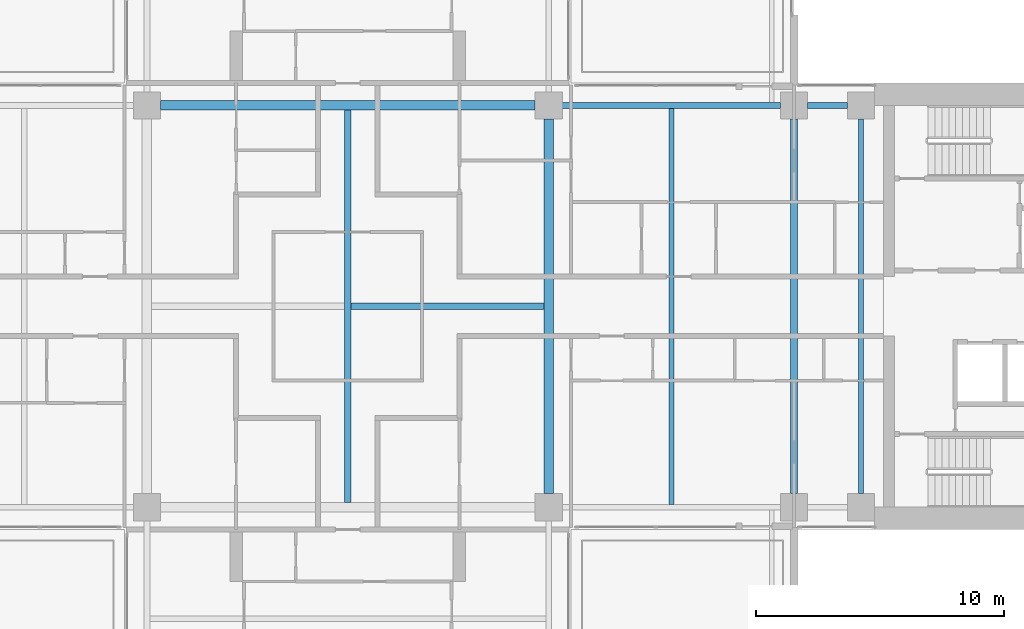
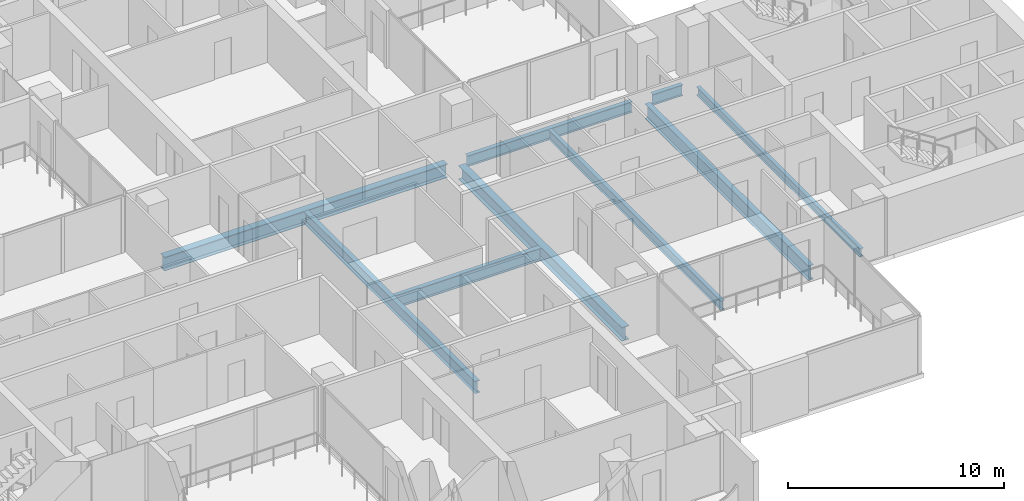
# One storey, part 4 of 18: 9 beams.
"""IFC4 building model written with IfcOpenShell, lengths in metres."""

from ifc_helpers import new_model, si_unit, direction, frame, origin, origin_2d, place, context, subcontext, project, spatial, i_section, extrude, material, material_profile, profile_set, type_object, element, save


model = new_model("IFC4")

# Units and contexts
model_context = context("Model", 3, precision=1e-05, world=origin(), true_north=direction((0.0, 1.0)))
body_context = subcontext(model_context, "Body", "Model", "MODEL_VIEW")
ifc_project = project(units=[si_unit("LENGTHUNIT", "METRE"), si_unit("AREAUNIT", "SQUARE_METRE"), si_unit("VOLUMEUNIT", "CUBIC_METRE"), si_unit("PLANEANGLEUNIT", "RADIAN"), si_unit("MASSUNIT", "GRAM", prefix="KILO")], contexts=[model_context])

# Site, building, storey
site_placement = place(None, origin())
site = spatial("IfcSite", under=ifc_project, at=site_placement, CompositionType="ELEMENT")
building_placement = place(site_placement, origin())
building = spatial("IfcBuilding", under=site, at=building_placement, Name="Perihelion Cross Residences", CompositionType="ELEMENT")
storey_placement = place(building_placement, frame((0.0, 0.0, 123.39990234375)))
storey = spatial("IfcBuildingStorey", under=building, at=storey_placement, Name="L29", CompositionType="ELEMENT", Elevation=123.39990234375)

# Beams
ifc_material_1 = material(Name="Steel S355", Category="steel")
ifc_material_profile_1 = material_profile(ifc_material_1, i_section(OverallWidth=0.194091796875, OverallDepth=0.469970703125, WebThickness=0.0126953125, FlangeThickness=0.0205078125, at=origin_2d()), Name="W460x106")
ifc_profile_set_1 = profile_set([ifc_material_profile_1], Name="Steel S355")
beam_type_1 = type_object("IfcBeamType", Name="Core edge beam W460x106", PredefinedType="BEAM", material=ifc_profile_set_1)
beam_1_placement = place(storey_placement, frame((20.699951171875, -7.550048828125, -0.48486328125), z_axis=(0.0, 1.0, 0.0), x_axis=(-1.0, 0.0, 0.0)))
element("IfcBeam", 1, at=beam_1_placement, inside=storey, type_object=beam_type_1, Name="Core edge beam TB5 L29 no. 2", PredefinedType="BEAM", context=body_context, shape_type="SweptSolid", body=[
    extrude(i_section(OverallWidth=0.194091796875, OverallDepth=0.469970703125, WebThickness=0.0126953125, FlangeThickness=0.0205078125, at=origin_2d()), origin(), (0.0, 0.0, 1.0), 15.10009765625),
])
ifc_material_2 = material(Name="Steel S355", Category="steel")
ifc_material_profile_2 = material_profile(ifc_material_2, i_section(OverallWidth=0.22900390625, OverallDepth=0.612060546875, WebThickness=0.011962890625, FlangeThickness=0.01953125, at=origin_2d()), Name="W610x125")
ifc_profile_set_2 = profile_set([ifc_material_profile_2], Name="Steel S355")
beam_type_2 = type_object("IfcBeamType", Name="Edge beam W610x125", PredefinedType="SPANDREL", material=ifc_profile_set_2)
beam_2_placement = place(storey_placement, frame((20.14990234375, 8.10009765625, -0.555908203125), z_axis=(-1.0, 0.0, 0.0), x_axis=(0.0, -1.0, 0.0)))
element("IfcBeam", 2, at=beam_2_placement, inside=storey, type_object=beam_type_2, Name="Edge beam SB3 L29 no. 13", PredefinedType="SPANDREL", context=body_context, shape_type="SweptSolid", body=[
    extrude(i_section(OverallWidth=0.22900390625, OverallDepth=0.612060546875, WebThickness=0.011962890625, FlangeThickness=0.01953125, at=origin_2d()), origin(), (0.0, 0.0, 1.0), 1.599853515625),
])
beam_3_placement = place(storey_placement, frame((17.449951171875, 8.10009765625, -0.555908203125), z_axis=(-1.0, 0.0, 0.0), x_axis=(0.0, -1.0, 0.0)))
element("IfcBeam", 3, at=beam_3_placement, inside=storey, type_object=beam_type_2, Name="Edge beam SB3 L29 no. 12", PredefinedType="SPANDREL", context=body_context, shape_type="SweptSolid", body=[
    extrude(i_section(OverallWidth=0.22900390625, OverallDepth=0.612060546875, WebThickness=0.011962890625, FlangeThickness=0.01953125, at=origin_2d()), origin(), (0.0, 0.0, 1.0), 8.800048828125),
])
ifc_material_3 = material(Name="Steel S355", Category="steel")
ifc_material_profile_3 = material_profile(ifc_material_3, i_section(OverallWidth=0.2919921875, OverallDepth=0.8359375, WebThickness=0.013916015625, FlangeThickness=0.018798828125, at=origin_2d()), Name="W840x176")
ifc_profile_set_3 = profile_set([ifc_material_profile_3], Name="Steel S355")
beam_type_3 = type_object("IfcBeamType", Name="Floor girder W840x176", PredefinedType="BEAM", material=ifc_profile_set_3)
beam_4_placement = place(storey_placement, frame((18.0, -7.550048828125, -0.66796875), z_axis=(0.0, 1.0, 0.0), x_axis=(-1.0, 0.0, 0.0)))
element("IfcBeam", 4, at=beam_4_placement, inside=storey, type_object=beam_type_3, Name="Girder G3 L29 no. 2", PredefinedType="BEAM", context=body_context, shape_type="SweptSolid", body=[
    extrude(i_section(OverallWidth=0.2919921875, OverallDepth=0.8359375, WebThickness=0.013916015625, FlangeThickness=0.018798828125, at=origin_2d()), origin(), (0.0, 0.0, 1.0), 15.10009765625),
])
ifc_material_4 = material(Name="Steel S355", Category="steel")
ifc_material_profile_4 = material_profile(ifc_material_4, i_section(OverallWidth=0.208984375, OverallDepth=0.532958984375, WebThickness=0.01025390625, FlangeThickness=0.015625, at=origin_2d()), Name="W530x92")
ifc_profile_set_4 = profile_set([ifc_material_profile_4], Name="Steel S355")
beam_type_4 = type_object("IfcBeamType", Name="Floor joist W530x92", PredefinedType="JOIST", material=ifc_profile_set_4)
beam_5_placement = place(storey_placement, frame((13.050048828125, -7.985595703125, -0.516357421875), z_axis=(0.0, 1.0, 0.0), x_axis=(-1.0, 0.0, 0.0)))
element("IfcBeam", 5, at=beam_5_placement, inside=storey, type_object=beam_type_4, Name="Joist J4 L29 no. 2", PredefinedType="JOIST", context=body_context, shape_type="SweptSolid", body=[
    extrude(i_section(OverallWidth=0.208984375, OverallDepth=0.532958984375, WebThickness=0.01025390625, FlangeThickness=0.015625, at=origin_2d()), origin(), (0.0, 0.0, 1.0), 15.97119140625),
])
ifc_material_5 = material(Name="Steel S355", Category="steel")
ifc_material_profile_5 = material_profile(ifc_material_5, i_section(OverallWidth=0.257080078125, OverallDepth=0.693115234375, WebThickness=0.014404296875, FlangeThickness=0.023681640625, at=origin_2d()), Name="W690x170")
ifc_profile_set_5 = profile_set([ifc_material_profile_5], Name="Steel S355")
beam_type_5 = type_object("IfcBeamType", Name="Hub cross beam W690x170", PredefinedType="BEAM", material=ifc_profile_set_5)
beam_6_placement = place(storey_placement, frame((0.0, -7.909423828125, -0.596435546875), z_axis=(0.0, 1.0, 0.0), x_axis=(-1.0, 0.0, 0.0)))
element("IfcBeam", 6, at=beam_6_placement, inside=storey, type_object=beam_type_5, Name="Hub cross beam XB3 L29 no. 1", PredefinedType="BEAM", context=body_context, shape_type="SweptSolid", body=[
    extrude(i_section(OverallWidth=0.257080078125, OverallDepth=0.693115234375, WebThickness=0.014404296875, FlangeThickness=0.023681640625, at=origin_2d()), origin(), (0.0, 0.0, 1.0), 15.81884765625),
])
beam_7_placement = place(storey_placement, frame((0.12841796875, 0.0, -0.596435546875), z_axis=(1.0, 0.0, 0.0), x_axis=(0.0, 1.0, 0.0)))
element("IfcBeam", 7, at=beam_7_placement, inside=storey, type_object=beam_type_5, Name="Hub cross beam XB3 L29 2 no. 1", PredefinedType="BEAM", context=body_context, shape_type="SweptSolid", body=[
    extrude(i_section(OverallWidth=0.257080078125, OverallDepth=0.693115234375, WebThickness=0.014404296875, FlangeThickness=0.023681640625, at=origin_2d()), origin(), (0.0, 0.0, 1.0), 7.781005859375),
])
ifc_material_6 = material(Name="Steel S355", Category="steel")
ifc_material_profile_6 = material_profile(ifc_material_6, i_section(OverallWidth=0.381103515625, OverallDepth=0.77197265625, WebThickness=0.0166015625, FlangeThickness=0.027099609375, at=origin_2d()), Name="W760x257")
ifc_profile_set_6 = profile_set([ifc_material_profile_6], Name="Steel S355")
beam_type_6 = type_object("IfcBeamType", Name="Hub ring girder W760x257", PredefinedType="BEAM", material=ifc_profile_set_6)
for number, where, z_axis, x_axis, name in (
    (8, (8.10009765625, -7.550048828125, -0.635986328125), (0.0, 1.0, 0.0), (-1.0, 0.0, 0.0), "Hub ring girder RG3 L29 no. 3"),
    (9, (7.550048828125, 8.10009765625, -0.635986328125), (-1.0, 0.0, 0.0), (0.0, -1.0, 0.0), "Hub ring girder RG3 L29 no. 4"),
):
    element("IfcBeam", number, at=place(storey_placement, frame(where, z_axis=z_axis, x_axis=x_axis)), inside=storey, type_object=beam_type_6, Name=name, PredefinedType="BEAM", context=body_context, shape_type="SweptSolid", body=[
        extrude(i_section(OverallWidth=0.381103515625, OverallDepth=0.77197265625, WebThickness=0.0166015625, FlangeThickness=0.027099609375, at=origin_2d()), origin(), (0.0, 0.0, 1.0), 15.10009765625),
    ])

save(model, "model.ifc")
